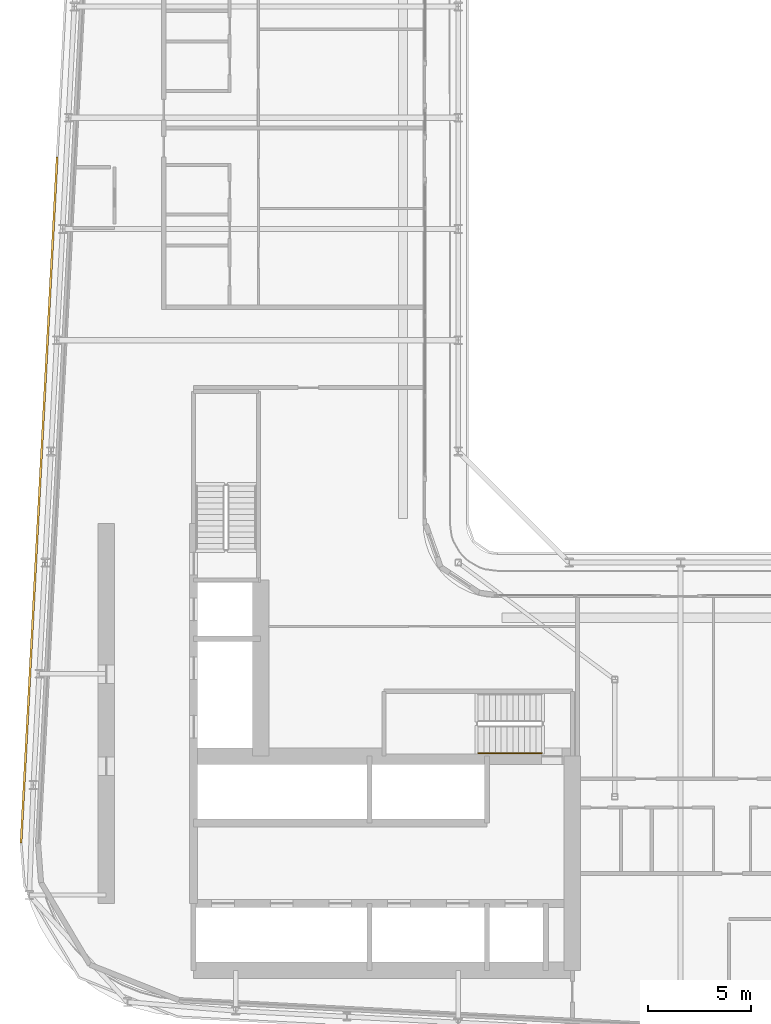
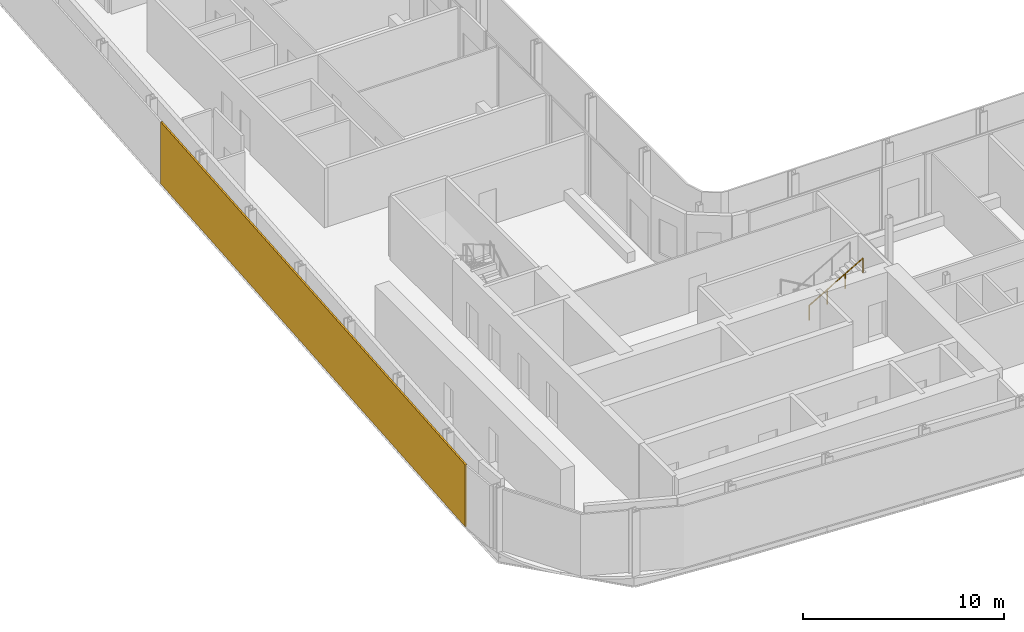
# One storey, part 23 of 29: 1 railing, 1 shading device.
"""IFC4 building model written with IfcOpenShell, lengths in metres."""

from ifc_helpers import new_model, si_unit, direction, frame, origin, origin_2d, place, context, subcontext, project, spatial, rectangle, circle, extrude, material, layer, layer_set, type_object, element, save


model = new_model("IFC4")

# Units and contexts
model_context = context("Model", 3, precision=1e-05, world=origin(), true_north=direction((0.0, 1.0)))
body_context = subcontext(model_context, "Body", "Model", "MODEL_VIEW")
ifc_project = project(units=[si_unit("LENGTHUNIT", "METRE"), si_unit("AREAUNIT", "SQUARE_METRE"), si_unit("VOLUMEUNIT", "CUBIC_METRE"), si_unit("PLANEANGLEUNIT", "RADIAN"), si_unit("MASSUNIT", "GRAM", prefix="KILO")], contexts=[model_context])

# Site, building, storey
site_placement = place(None, origin())
site = spatial("IfcSite", under=ifc_project, at=site_placement, CompositionType="ELEMENT")
building_placement = place(site_placement, origin())
building = spatial("IfcBuilding", under=site, at=building_placement, Name="Kheshtan School and Residences Tower", CompositionType="ELEMENT")
storey_placement = place(building_placement, frame((0.0, 0.0, 179.89990234375)))
storey = spatial("IfcBuildingStorey", under=building, at=storey_placement, Name="L42", CompositionType="ELEMENT", Elevation=179.89990234375)

# Shading device
ifc_material_1 = material(Name="Terracotta baguette, extruded ceramic", Category="masonry")
ifc_layer = layer(ifc_material_1, 0.10009765625)
ifc_layer_set = layer_set([ifc_layer], Name="Ledge screen, terracotta baguettes")
shading_device_type = type_object("IfcShadingDeviceType", Name="Ledge screen, terracotta baguettes", PredefinedType="USERDEFINED", material=ifc_layer_set)
shading_device_placement = place(storey_placement, frame((27.24609375, 48.638916015625, 0.0), z_axis=(0.0, 0.0, 1.0), x_axis=(0.052562536748, 0.998617634398, 0.0)))
element("IfcShadingDevice", 1, at=shading_device_placement, inside=storey, type_object=shading_device_type, Name="Screen L42 4", ObjectType="BAGUETTE", PredefinedType="USERDEFINED", context=body_context, shape_type="SweptSolid", body=[
    extrude(rectangle(XDim=33.341064453125, YDim=0.10009765625, at=origin_2d()), origin(), (0.0, 0.0, 1.0), 3.75),
])

# Railing
ifc_material_2 = material(Name="Stainless steel handrail", Category="steel")
railing_type = type_object("IfcRailingType", Name="Stair handrail 900", PredefinedType="HANDRAIL", material=ifc_material_2)
railing_placement = place(storey_placement, frame((48.570068359375, 36.35009765625, 2.112548828125)))
element("IfcRailing", 2, at=railing_placement, inside=storey, type_object=railing_type, Name="L42 ST1 stair handrail 2", PredefinedType="HANDRAIL", context=body_context, shape_type="SweptSolid", body=[
    extrude(circle(Radius=0.02392578125, at=origin_2d()), frame((0.0, 0.0, 0.8759765625), z_axis=(0.864873446163, 0.0, 0.501989962173), x_axis=(0.0, 1.0, 0.0)), (0.0, 0.0, 1.0), 3.56103515625),
    extrude(circle(Radius=0.02099609375, at=origin_2d()), origin(), (0.0, 0.0, 1.0), 0.851806640625),
    extrude(circle(Radius=0.02099609375, at=origin_2d()), frame((1.026611328125, 0.0, 0.595947265625)), (0.0, 0.0, 1.0), 0.851806640625),
    extrude(circle(Radius=0.02099609375, at=origin_2d()), frame((2.05322265625, 0.0, 1.191650390625)), (0.0, 0.0, 1.0), 0.851806640625),
    extrude(circle(Radius=0.02099609375, at=origin_2d()), frame((3.079833984375, 0.0, 1.78759765625)), (0.0, 0.0, 1.0), 0.851806640625),
])

save(model, "model.ifc")
